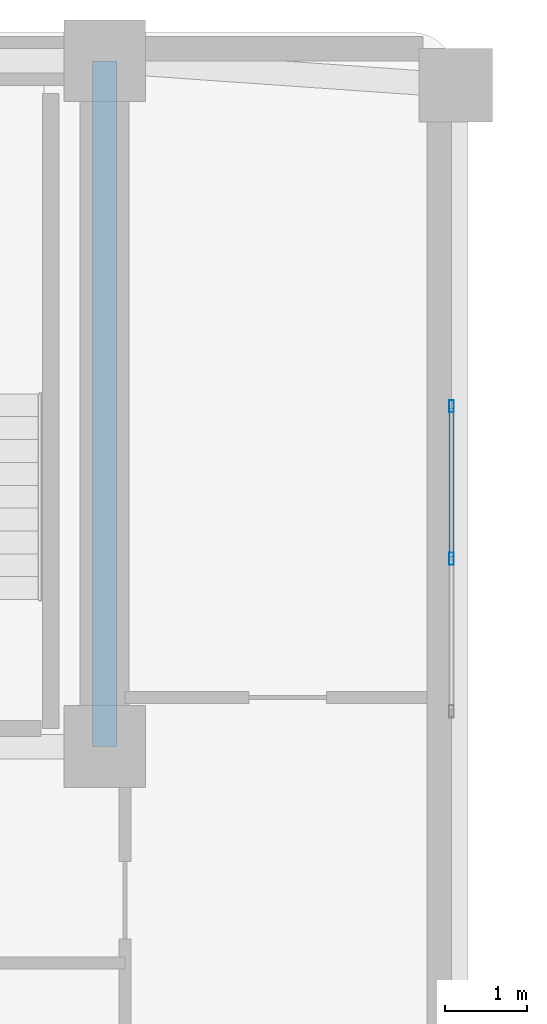
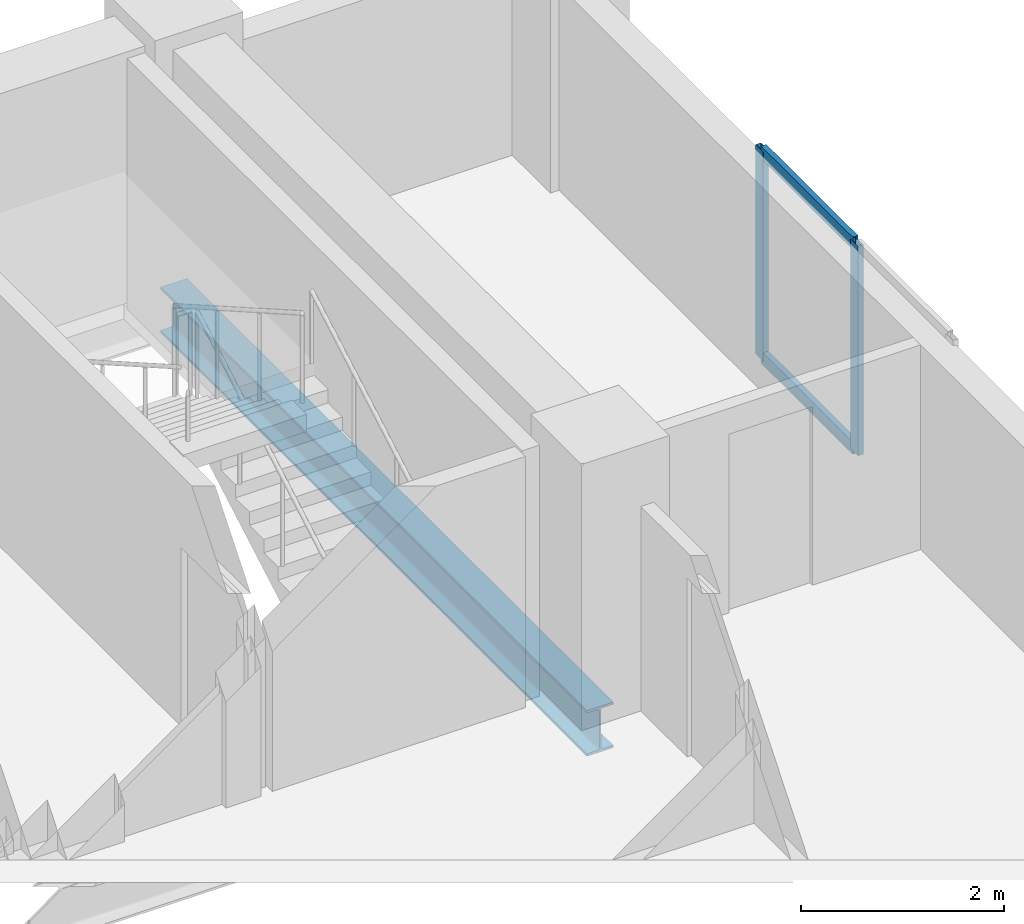
# One storey, part 4 of 10: 4 members, 1 beam, 1 element without a shape of its own.
"""IFC4 building model written with IfcOpenShell, lengths in metres."""

from ifc_helpers import new_model, si_unit, direction, frame, origin, origin_2d, place, context, subcontext, project, spatial, hollow_rectangle, i_section, extrude, material, material_profile, profile_set, type_object, element, aggregate, save


model = new_model("IFC4")

# Units and contexts
model_context = context("Model", 3, precision=1e-05, world=origin(), true_north=direction((0.0, 1.0)))
body_context = subcontext(model_context, "Body", "Model", "MODEL_VIEW")
ifc_project = project(units=[si_unit("LENGTHUNIT", "METRE"), si_unit("AREAUNIT", "SQUARE_METRE"), si_unit("VOLUMEUNIT", "CUBIC_METRE"), si_unit("PLANEANGLEUNIT", "RADIAN"), si_unit("MASSUNIT", "GRAM", prefix="KILO")], contexts=[model_context])

# Site, building, storey
site_placement = place(None, origin())
site = spatial("IfcSite", under=ifc_project, at=site_placement, CompositionType="ELEMENT")
building_placement = place(site_placement, origin())
building = spatial("IfcBuilding", under=site, at=building_placement, Name="Kuzgunbayir Cultural Tower", CompositionType="ELEMENT")
storey_placement = place(building_placement, frame((0.0, 0.0, 160.0)))
storey = spatial("IfcBuildingStorey", under=building, at=storey_placement, Name="L46", CompositionType="ELEMENT", Elevation=160.0)

# Beam
ifc_material_1 = material(Name="Steel S355J2", Category="steel")
ifc_material_profile_1 = material_profile(ifc_material_1, i_section(OverallWidth=0.300048828125, OverallDepth=0.550048828125, WebThickness=0.014892578125, FlangeThickness=0.029052734375, FilletRadius=0.027099609375, at=origin_2d()), Name="HEB 550")
ifc_profile_set_1 = profile_set([ifc_material_profile_1], Name="Steel S355J2")
beam_type = type_object("IfcBeamType", Name="BM-GIR-HEB550", PredefinedType="BEAM", material=ifc_profile_set_1)
beam_placement = place(storey_placement, frame((26.89990234375, 33.800048828125, -0.4599609375), z_axis=(0.0, 1.0, 0.0), x_axis=(-1.0, 0.0, 0.0)))
element("IfcBeam", 1, at=beam_placement, inside=storey, type_object=beam_type, Name="L46 Core East Edge Girder", PredefinedType="BEAM", context=body_context, shape_type="SweptSolid", body=[
    extrude(i_section(OverallWidth=0.300048828125, OverallDepth=0.550048828125, WebThickness=0.014892578125, FlangeThickness=0.029052734375, FilletRadius=0.027099609375, at=origin_2d()), origin(), (0.0, 0.0, 1.0), 8.39990234375),
])

# Curtain wall, members
ifc_material_2 = material(Name="Anodised Aluminium Framing", Category="aluminium")
curtain_wall_type = type_object("IfcCurtainWallType", Name="CW02-PORTAL-SOFFIT", PredefinedType="NOTDEFINED", material=ifc_material_2)
curtain_wall_placement = place(storey_placement, origin())
curtain_wall = element("IfcCurtainWall", 2, at=curtain_wall_placement, inside=storey, type_object=curtain_wall_type, Name="L46 Wind-Portal Aperture Curtain Wall", PredefinedType="NOTDEFINED")
ifc_material_profile_2 = material_profile(ifc_material_2, hollow_rectangle(XDim=0.06005859375, YDim=0.14990234375, WallThickness=0.00390625, at=origin_2d()), Name="RHS 150x60x4")
ifc_profile_set_2 = profile_set([ifc_material_profile_2], Name="Anodised Aluminium Framing")
member_type_1 = type_object("IfcMemberType", Name="MEM-CW-MULLION-150", PredefinedType="MULLION", material=ifc_profile_set_2)
member_1_placement = place(storey_placement, frame((31.14990234375, 36.10009765625, 0.0), z_axis=(0.0, 0.0, 1.0), x_axis=(-1.0, 0.0, 0.0)))
member_1 = element("IfcMember", 3, at=member_1_placement, type_object=member_type_1, Name="CW02 mullion 2", PredefinedType="MULLION", context=body_context, shape_type="SweptSolid", body=[
    extrude(hollow_rectangle(XDim=0.06005859375, YDim=0.14990234375, WallThickness=0.00390625, at=origin_2d()), origin(), (0.0, 0.0, 1.0), 2.52001953125),
])
member_2_placement = place(storey_placement, frame((31.14990234375, 37.969970703125, 0.0), z_axis=(0.0, 0.0, 1.0), x_axis=(-1.0, 0.0, 0.0)))
member_2 = element("IfcMember", 4, at=member_2_placement, type_object=member_type_1, Name="CW02 mullion 3", PredefinedType="MULLION", context=body_context, shape_type="SweptSolid", body=[
    extrude(hollow_rectangle(XDim=0.06005859375, YDim=0.14990234375, WallThickness=0.00390625, at=origin_2d()), origin(), (0.0, 0.0, 1.0), 2.52001953125),
])
ifc_material_profile_3 = material_profile(ifc_material_2, hollow_rectangle(XDim=0.06005859375, YDim=0.14990234375, WallThickness=0.00390625, at=origin_2d()), Name="RHS 150x60x4")
ifc_profile_set_3 = profile_set([ifc_material_profile_3], Name="Anodised Aluminium Framing")
member_type_2 = type_object("IfcMemberType", Name="MEM-CW-TRANSOM-150", PredefinedType="USERDEFINED", material=ifc_profile_set_3)
member_3_placement = place(storey_placement, frame((31.14990234375, 36.1298828125, 0.030029296875), z_axis=(0.0, 1.0, 0.0), x_axis=(-1.0, 0.0, 0.0)))
member_3 = element("IfcMember", 5, at=member_3_placement, type_object=member_type_2, Name="CW02 transom 2.1", ObjectType="TRANSOM", PredefinedType="USERDEFINED", context=body_context, shape_type="SweptSolid", body=[
    extrude(hollow_rectangle(XDim=0.06005859375, YDim=0.14990234375, WallThickness=0.00390625, at=origin_2d()), origin(), (0.0, 0.0, 1.0), 1.81005859375),
])
member_4_placement = place(storey_placement, frame((31.14990234375, 36.1298828125, 2.489990234375), z_axis=(0.0, 1.0, 0.0), x_axis=(-1.0, 0.0, 0.0)))
member_4 = element("IfcMember", 6, at=member_4_placement, type_object=member_type_2, Name="CW02 transom 2.2", ObjectType="TRANSOM", PredefinedType="USERDEFINED", context=body_context, shape_type="SweptSolid", body=[
    extrude(hollow_rectangle(XDim=0.06005859375, YDim=0.14990234375, WallThickness=0.00390625, at=origin_2d()), origin(), (0.0, 0.0, 1.0), 1.81005859375),
])
aggregate(curtain_wall, [member_1, member_2, member_3, member_4])

save(model, "model.ifc")
